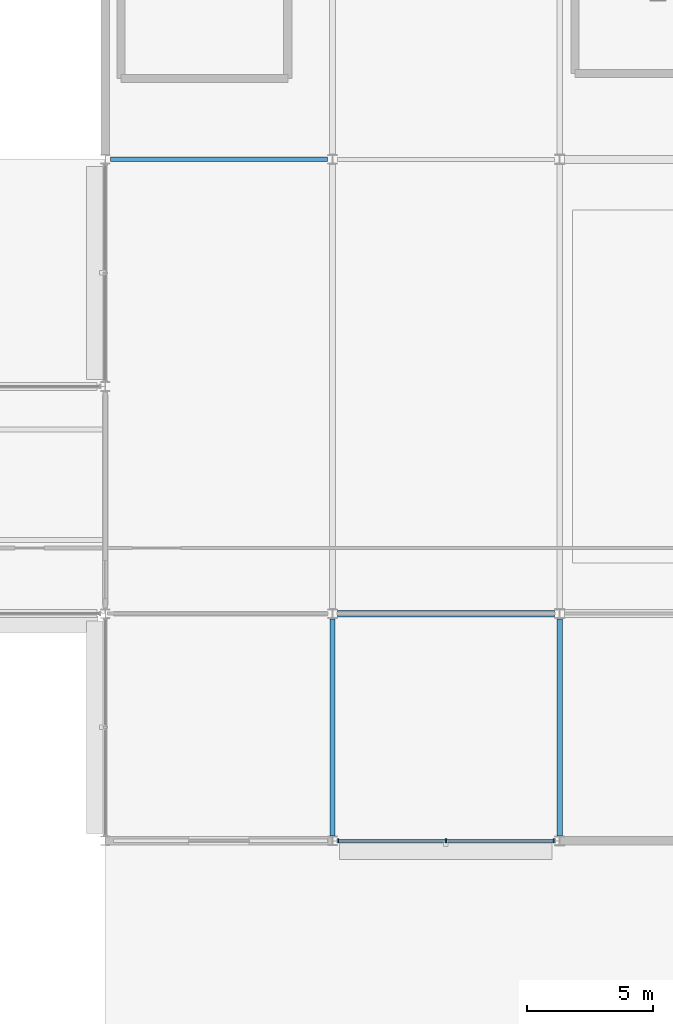
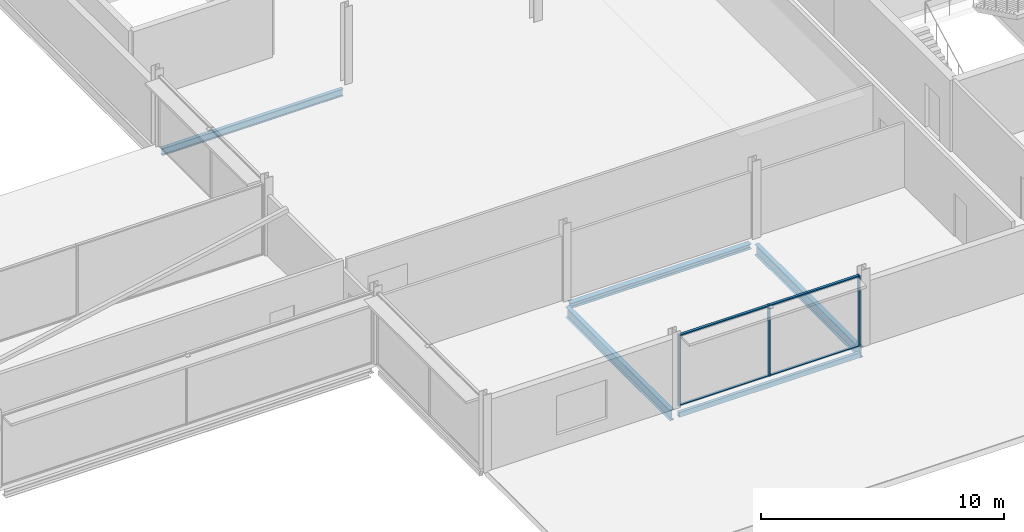
# One storey, part 45 of 105: 7 members, 5 beams, 1 element without a shape of its own.
"""IFC4 building model written with IfcOpenShell, lengths in metres."""

from ifc_helpers import new_model, si_unit, direction, frame, origin, origin_2d, place, context, subcontext, project, spatial, rectangle, hollow_rectangle, i_section, extrude, material, layer, layer_set, material_profile, profile_set, type_object, element, aggregate, save


model = new_model("IFC4")

# Units and contexts
model_context = context("Model", 3, precision=1e-05, world=origin(), true_north=direction((0.0, 1.0)))
body_context = subcontext(model_context, "Body", "Model", "MODEL_VIEW")
ifc_project = project(units=[si_unit("LENGTHUNIT", "METRE"), si_unit("AREAUNIT", "SQUARE_METRE"), si_unit("VOLUMEUNIT", "CUBIC_METRE"), si_unit("PLANEANGLEUNIT", "RADIAN"), si_unit("MASSUNIT", "GRAM", prefix="KILO")], contexts=[model_context])

# Site, building, storey
site_placement = place(None, origin())
site = spatial("IfcSite", under=ifc_project, at=site_placement, CompositionType="ELEMENT")
building_placement = place(site_placement, origin())
building = spatial("IfcBuilding", under=site, at=building_placement, Name="Kisiwana Market Hall", CompositionType="ELEMENT")
storey_placement = place(building_placement, frame((0.0, 0.0, 21.60009765625)))
storey = spatial("IfcBuildingStorey", under=building, at=storey_placement, Name="L04", CompositionType="ELEMENT", Elevation=21.60009765625)

# Beams
ifc_material_1 = material(Name="Steel S355", Category="steel")
ifc_material_profile_1 = material_profile(ifc_material_1, i_section(OverallWidth=0.260009765625, OverallDepth=0.260009765625, WebThickness=0.010009765625, FlangeThickness=0.017578125, FilletRadius=0.02392578125, at=origin_2d()), Name="HEB 260")
ifc_profile_set_1 = profile_set([ifc_material_profile_1], Name="Steel S355")
beam_type_1 = type_object("IfcBeamType", Name="BM-GIRD-HEB260", PredefinedType="BEAM", material=ifc_profile_set_1)
beam_1_placement = place(storey_placement, frame((162.198974609375, 18.0, -0.375), z_axis=(1.0, 0.0, 0.0), x_axis=(0.0, 1.0, 0.0)))
element("IfcBeam", 1, at=beam_1_placement, inside=storey, type_object=beam_type_1, Name="Floor beam B-1434", PredefinedType="BEAM", context=body_context, shape_type="SweptSolid", body=[
    extrude(i_section(OverallWidth=0.260009765625, OverallDepth=0.260009765625, WebThickness=0.010009765625, FlangeThickness=0.017578125, FilletRadius=0.02392578125, at=origin_2d()), origin(), (0.0, 0.0, 1.0), 8.60205078125),
])
ifc_material_2 = material(Name="Steel S355", Category="steel")
ifc_material_profile_2 = material_profile(ifc_material_2, i_section(OverallWidth=0.209228515625, OverallDepth=0.533203125, WebThickness=0.010009765625, FlangeThickness=0.015625, at=origin_2d()), Name="UB 533x210x92")
ifc_profile_set_2 = profile_set([ifc_material_profile_2], Name="Steel S355")
beam_type_2 = type_object("IfcBeamType", Name="BM-GIRD-UB533", PredefinedType="BEAM", material=ifc_profile_set_2)
for number, where, z_axis, x_axis, name in (
    (2, (162.0, 9.19287109375, -0.51171875), (0.0, 1.0, 0.0), (-1.0, 0.0, 0.0), "Primary girder B-1371"),
    (3, (171.0, 9.19287109375, -0.51171875), (0.0, 1.0, 0.0), (-1.0, 0.0, 0.0), "Primary girder B-1377"),
):
    element("IfcBeam", number, at=place(storey_placement, frame(where, z_axis=z_axis, x_axis=x_axis)), inside=storey, type_object=beam_type_2, Name=name, PredefinedType="BEAM", context=body_context, shape_type="SweptSolid", body=[
        extrude(i_section(OverallWidth=0.209228515625, OverallDepth=0.533203125, WebThickness=0.010009765625, FlangeThickness=0.015625, at=origin_2d()), origin(), (0.0, 0.0, 1.0), 8.60302734375),
    ])
ifc_material_3 = material(Name="Steel S355", Category="steel")
ifc_material_profile_3 = material_profile(ifc_material_3, i_section(OverallWidth=0.169921875, OverallDepth=0.360107421875, WebThickness=0.008056640625, FlangeThickness=0.0126953125, FilletRadius=0.01806640625, at=origin_2d()), Name="IPE 360")
ifc_profile_set_3 = profile_set([ifc_material_profile_3], Name="Steel S355")
beam_type_3 = type_object("IfcBeamType", Name="BM-JOIST-IPE360", PredefinedType="JOIST", material=ifc_profile_set_3)
beam_2_placement = place(storey_placement, frame((153.201904296875, 36.0, -0.425048828125), z_axis=(1.0, 0.0, 0.0), x_axis=(0.0, 1.0, 0.0)))
element("IfcBeam", 4, at=beam_2_placement, inside=storey, type_object=beam_type_3, Name="Floor beam B-1447", PredefinedType="JOIST", context=body_context, shape_type="SweptSolid", body=[
    extrude(i_section(OverallWidth=0.169921875, OverallDepth=0.360107421875, WebThickness=0.008056640625, FlangeThickness=0.0126953125, FilletRadius=0.01806640625, at=origin_2d()), origin(), (0.0, 0.0, 1.0), 8.59912109375),
])
ifc_material_4 = material(Name="Steel S355", Category="steel")
ifc_material_profile_4 = material_profile(ifc_material_4, hollow_rectangle(XDim=0.14990234375, YDim=0.25, WallThickness=0.010009765625, at=origin_2d()), Name="RHS 250x150x10.0")
ifc_profile_set_4 = profile_set([ifc_material_profile_4], Name="Steel S355")
beam_type_4 = type_object("IfcBeamType", Name="BM-SPAN-RHS250", PredefinedType="SPANDREL", material=ifc_profile_set_4)
beam_3_placement = place(storey_placement, frame((162.195556640625, 9.0, -0.4169921875), z_axis=(1.0, 0.0, 0.0), x_axis=(0.0, 1.0, 0.0)))
element("IfcBeam", 5, at=beam_3_placement, inside=storey, type_object=beam_type_4, Name="Floor beam B-1420", PredefinedType="SPANDREL", context=body_context, shape_type="SweptSolid", body=[
    extrude(hollow_rectangle(XDim=0.14990234375, YDim=0.25, WallThickness=0.010009765625, at=origin_2d()), origin(), (0.0, 0.0, 1.0), 8.60888671875),
])

# Curtain wall, members
ifc_material_5 = material(Name="Double-glazed solar-control low-E IGU", Category="glass")
ifc_layer = layer(ifc_material_5, 0.159912109375)
ifc_layer_set = layer_set([ifc_layer], Name="CW-ZNA-EW-8200")
curtain_wall_type = type_object("IfcCurtainWallType", Name="CW-ZNA-EW-8200", PredefinedType="USERDEFINED", material=ifc_layer_set)
curtain_wall_placement = place(storey_placement, origin())
curtain_wall = element("IfcCurtainWall", 6, at=curtain_wall_placement, inside=storey, type_object=curtain_wall_type, Name="Unitised curtain wall CW-090 (L04)", ObjectType="UNITISED CURTAIN WALL", PredefinedType="USERDEFINED")
ifc_material_6 = material(Name="Aluminium alloy 6063-T6", Category="aluminium")
ifc_material_profile_5 = material_profile(ifc_material_6, rectangle(XDim=0.06005859375, YDim=0.159912109375, at=origin_2d()), Name="ALU MULLION 60x160")
ifc_profile_set_5 = profile_set([ifc_material_profile_5], Name="Aluminium alloy 6063-T6")
member_type_1 = type_object("IfcMemberType", Name="CW-MULL-60x160", PredefinedType="MULLION", material=ifc_profile_set_5)
member_1_placement = place(storey_placement, frame((162.21630859375, 9.0, 0.0), z_axis=(0.0, 0.0, 1.0), x_axis=(1.0, 0.0, 0.0)))
member_1 = element("IfcMember", 7, at=member_1_placement, type_object=member_type_1, Name="CW-090 mullion 1", PredefinedType="MULLION", context=body_context, shape_type="SweptSolid", body=[
    extrude(rectangle(XDim=0.06005859375, YDim=0.159912109375, at=origin_2d()), origin(), (0.0, 0.0, 1.0), 3.5849609375),
])
member_2_placement = place(storey_placement, frame((166.494384765625, 9.0, 0.0), z_axis=(0.0, 0.0, 1.0), x_axis=(1.0, 0.0, 0.0)))
member_2 = element("IfcMember", 8, at=member_2_placement, type_object=member_type_1, Name="CW-090 mullion 2", PredefinedType="MULLION", context=body_context, shape_type="SweptSolid", body=[
    extrude(rectangle(XDim=0.06005859375, YDim=0.159912109375, at=origin_2d()), origin(), (0.0, 0.0, 1.0), 3.5849609375),
])
member_3_placement = place(storey_placement, frame((170.772705078125, 9.0, 0.0), z_axis=(0.0, 0.0, 1.0), x_axis=(1.0, 0.0, 0.0)))
member_3 = element("IfcMember", 9, at=member_3_placement, type_object=member_type_1, Name="CW-090 mullion 3", PredefinedType="MULLION", context=body_context, shape_type="SweptSolid", body=[
    extrude(rectangle(XDim=0.06005859375, YDim=0.159912109375, at=origin_2d()), origin(), (0.0, 0.0, 1.0), 3.5849609375),
])
ifc_material_7 = material(Name="Aluminium alloy 6063-T6", Category="aluminium")
ifc_material_profile_6 = material_profile(ifc_material_7, rectangle(XDim=0.1201171875, YDim=0.06005859375, at=origin_2d()), Name="ALU TRANSOM 60x120")
ifc_profile_set_6 = profile_set([ifc_material_profile_6], Name="Aluminium alloy 6063-T6")
member_type_2 = type_object("IfcMemberType", Name="CW-TRAN-60x120", PredefinedType="USERDEFINED", material=ifc_profile_set_6)
member_4_placement = place(storey_placement, frame((162.246337890625, 9.0, 0.02978515625), z_axis=(1.0, 0.0, 0.0), x_axis=(0.0, 1.0, 0.0)))
member_4 = element("IfcMember", 10, at=member_4_placement, type_object=member_type_2, Name="CW-090 transom 1.1", ObjectType="TRANSOM", PredefinedType="USERDEFINED", context=body_context, shape_type="SweptSolid", body=[
    extrude(rectangle(XDim=0.1201171875, YDim=0.06005859375, at=origin_2d()), origin(), (0.0, 0.0, 1.0), 4.218017578125),
])
member_5_placement = place(storey_placement, frame((162.246337890625, 9.0, 3.554931640625), z_axis=(1.0, 0.0, 0.0), x_axis=(0.0, 1.0, 0.0)))
member_5 = element("IfcMember", 11, at=member_5_placement, type_object=member_type_2, Name="CW-090 transom 1.2", ObjectType="TRANSOM", PredefinedType="USERDEFINED", context=body_context, shape_type="SweptSolid", body=[
    extrude(rectangle(XDim=0.1201171875, YDim=0.06005859375, at=origin_2d()), origin(), (0.0, 0.0, 1.0), 4.218017578125),
])
member_6_placement = place(storey_placement, frame((166.5244140625, 9.0, 0.02978515625), z_axis=(1.0, 0.0, 0.0), x_axis=(0.0, 1.0, 0.0)))
member_6 = element("IfcMember", 12, at=member_6_placement, type_object=member_type_2, Name="CW-090 transom 2.1", ObjectType="TRANSOM", PredefinedType="USERDEFINED", context=body_context, shape_type="SweptSolid", body=[
    extrude(rectangle(XDim=0.1201171875, YDim=0.06005859375, at=origin_2d()), origin(), (0.0, 0.0, 1.0), 4.21826171875),
])
member_7_placement = place(storey_placement, frame((166.5244140625, 9.0, 3.554931640625), z_axis=(1.0, 0.0, 0.0), x_axis=(0.0, 1.0, 0.0)))
member_7 = element("IfcMember", 13, at=member_7_placement, type_object=member_type_2, Name="CW-090 transom 2.2", ObjectType="TRANSOM", PredefinedType="USERDEFINED", context=body_context, shape_type="SweptSolid", body=[
    extrude(rectangle(XDim=0.1201171875, YDim=0.06005859375, at=origin_2d()), origin(), (0.0, 0.0, 1.0), 4.21826171875),
])
aggregate(curtain_wall, [member_1, member_2, member_3, member_4, member_5, member_6, member_7])

save(model, "model.ifc")
